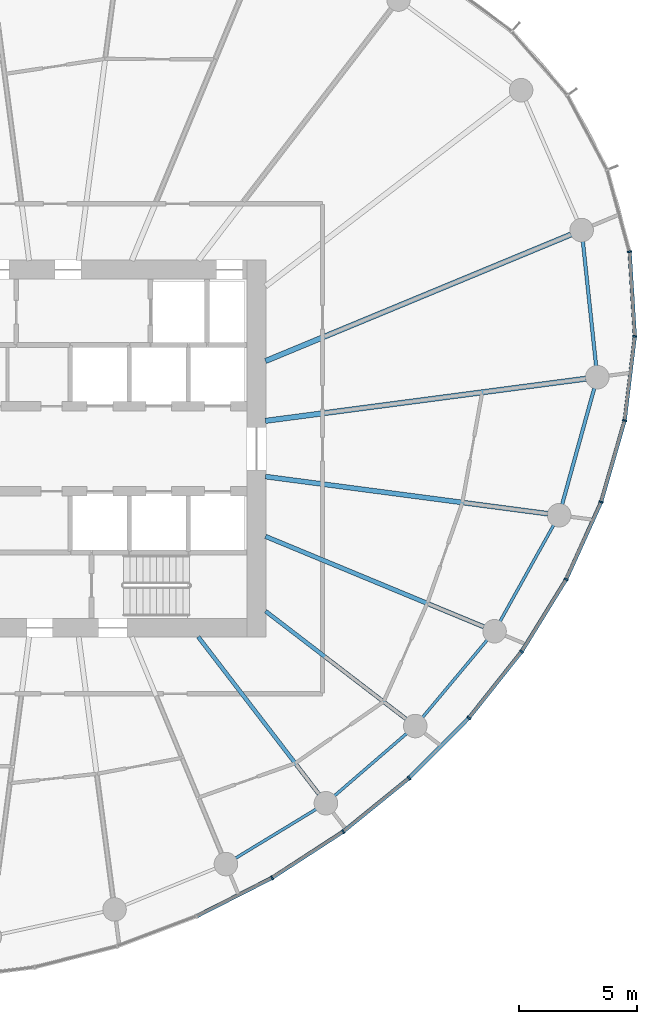
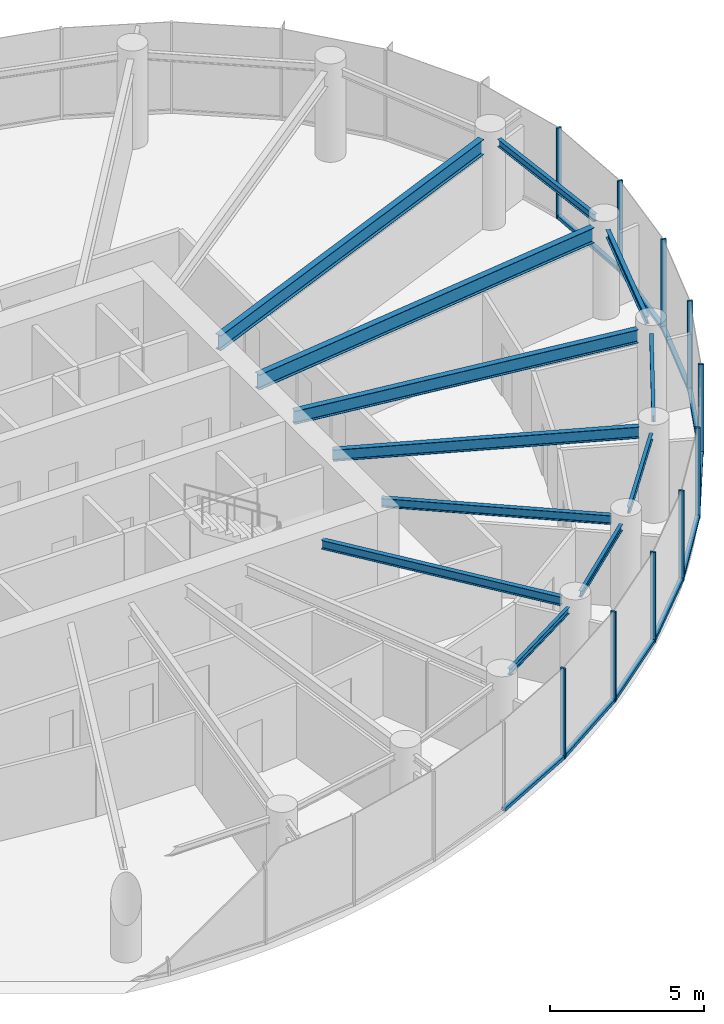
# One storey, part 4 of 14: 20 members, 12 beams, 3 elements without a shape of their own.
"""IFC4 building model written with IfcOpenShell, lengths in metres."""

from ifc_helpers import new_model, si_unit, direction, frame, origin, origin_2d, place, context, subcontext, project, spatial, rectangle, i_section, extrude, source, transform, mapped, material, layer, layer_set, material_profile, profile_set, type_object, element, aggregate, save


model = new_model("IFC4")

# Units and contexts
model_context = context("Model", 3, precision=1e-05, world=origin(), true_north=direction((0.0, 1.0)))
body_context = subcontext(model_context, "Body", "Model", "MODEL_VIEW")
ifc_project = project(units=[si_unit("LENGTHUNIT", "METRE"), si_unit("AREAUNIT", "SQUARE_METRE"), si_unit("VOLUMEUNIT", "CUBIC_METRE"), si_unit("PLANEANGLEUNIT", "RADIAN"), si_unit("MASSUNIT", "GRAM", prefix="KILO")], contexts=[model_context])

# Site, building, storey
site_placement = place(None, origin())
site = spatial("IfcSite", under=ifc_project, at=site_placement, CompositionType="ELEMENT")
building_placement = place(site_placement, origin())
building = spatial("IfcBuilding", under=site, at=building_placement, Name="Spindrift Exchange Tower", CompositionType="ELEMENT")
storey_placement = place(building_placement, frame((0.0, 0.0, 148.699951171875)))
storey = spatial("IfcBuildingStorey", under=building, at=storey_placement, Name="L35", CompositionType="ELEMENT", Elevation=148.699951171875)

# Beams
ifc_material_1 = material(Name="Steel Grade 300", Category="steel")
ifc_material_profile_1 = material_profile(ifc_material_1, i_section(OverallWidth=0.14892578125, OverallDepth=0.298095703125, WebThickness=0.005615234375, FlangeThickness=0.008056640625, FilletRadius=0.012939453125, at=origin_2d()), Name="310UB32.0")
ifc_profile_set_1 = profile_set([ifc_material_profile_1], Name="Steel Grade 300")
beam_type_1 = type_object("IfcBeamType", Name="Edge Beam 310UB32.0 Steel Grade 300", PredefinedType="SPANDREL", material=ifc_profile_set_1)
shared_shape_1 = source(origin(), body_context, "Body", "SweptSolid", [
    extrude(i_section(OverallWidth=0.14892578125, OverallDepth=0.298095703125, WebThickness=0.005615234375, FlangeThickness=0.008056640625, FilletRadius=0.012939453125, at=origin_2d()), origin(), (0.0, 0.0, 1.0), 5.31640625),
])
beam_1_placement = place(storey_placement, frame((75.010986328125, 51.513427734375, 3.43115234375), z_axis=(-0.10598990948, 0.994367205357, 0.0), x_axis=(-0.994367205357, -0.10598990948, 0.0)))
element("IfcBeam", 1, at=beam_1_placement, inside=storey, type_object=beam_type_1, Name="L35 edge beam E01", PredefinedType="SPANDREL", context=body_context, shape_type="MappedRepresentation", body=[
    mapped(shared_shape_1, transform((0.0, 0.0, 0.0), scale=1.0)),
])
ifc_material_profile_2 = material_profile(ifc_material_1, i_section(OverallWidth=0.1240234375, OverallDepth=0.248046875, WebThickness=0.0048828125, FlangeThickness=0.008056640625, FilletRadius=0.011962890625, at=origin_2d()), Name="250UB25.7")
ifc_profile_set_2 = profile_set([ifc_material_profile_2], Name="Steel Grade 300")
beam_type_2 = type_object("IfcBeamType", Name="Edge Beam 250UB25.7 Steel Grade 300", PredefinedType="SPANDREL", material=ifc_profile_set_2)
shared_shape_2 = source(origin(), body_context, "Body", "SweptSolid", [
    extrude(i_section(OverallWidth=0.1240234375, OverallDepth=0.248046875, WebThickness=0.0048828125, FlangeThickness=0.008056640625, FilletRadius=0.011962890625, at=origin_2d()), origin(), (0.0, 0.0, 1.0), 4.00634765625),
])
beam_2_placement = place(storey_placement, frame((59.7109375, 30.623779296875, 3.4560546875), z_axis=(0.854331495603, 0.519728482596, 0.0), x_axis=(-0.519728482596, 0.854331495603, 0.0)))
element("IfcBeam", 2, at=beam_2_placement, inside=storey, type_object=beam_type_2, Name="L35 edge beam E20", PredefinedType="SPANDREL", context=body_context, shape_type="MappedRepresentation", body=[
    mapped(shared_shape_2, transform((0.0, 0.0, 0.0), scale=1.0)),
])
shared_shape_3 = source(origin(), body_context, "Body", "SweptSolid", [
    extrude(i_section(OverallWidth=0.1240234375, OverallDepth=0.248046875, WebThickness=0.0048828125, FlangeThickness=0.008056640625, FilletRadius=0.011962890625, at=origin_2d()), origin(), (0.0, 0.0, 1.0), 4.052001953125),
])
beam_3_placement = place(storey_placement, frame((63.906982421875, 33.269287109375, 3.4560546875), z_axis=(0.756715968535, 0.65374379, 0.0), x_axis=(-0.65374379, 0.756715968535, 0.0)))
element("IfcBeam", 3, at=beam_3_placement, inside=storey, type_object=beam_type_2, Name="L35 edge beam E21", PredefinedType="SPANDREL", context=body_context, shape_type="MappedRepresentation", body=[
    mapped(shared_shape_3, transform((0.0, 0.0, 0.0), scale=1.0)),
])
shared_shape_4 = source(origin(), body_context, "Body", "SweptSolid", [
    extrude(i_section(OverallWidth=0.1240234375, OverallDepth=0.248046875, WebThickness=0.0048828125, FlangeThickness=0.008056640625, FilletRadius=0.011962890625, at=origin_2d()), origin(), (0.0, 0.0, 1.0), 4.282958984375),
])
beam_4_placement = place(storey_placement, frame((67.644287109375, 36.600341796875, 3.4560546875), z_axis=(0.641400288548, 0.767206406289, 0.0), x_axis=(-0.767206406289, 0.641400288548, 0.0)))
element("IfcBeam", 4, at=beam_4_placement, inside=storey, type_object=beam_type_2, Name="L35 edge beam E22", PredefinedType="SPANDREL", context=body_context, shape_type="MappedRepresentation", body=[
    mapped(shared_shape_4, transform((0.0, 0.0, 0.0), scale=1.0)),
])
shared_shape_5 = source(origin(), body_context, "Body", "SweptSolid", [
    extrude(i_section(OverallWidth=0.1240234375, OverallDepth=0.248046875, WebThickness=0.0048828125, FlangeThickness=0.008056640625, FilletRadius=0.011962890625, at=origin_2d()), origin(), (0.0, 0.0, 1.0), 4.6748046875),
])
beam_5_placement = place(storey_placement, frame((70.932861328125, 40.673828125, 3.4560546875), z_axis=(0.486587145143, 0.873632045075, 0.0), x_axis=(-0.873632045075, 0.486587145143, 0.0)))
element("IfcBeam", 5, at=beam_5_placement, inside=storey, type_object=beam_type_2, Name="L35 edge beam E23", PredefinedType="SPANDREL", context=body_context, shape_type="MappedRepresentation", body=[
    mapped(shared_shape_5, transform((0.0, 0.0, 0.0), scale=1.0)),
])
shared_shape_6 = source(origin(), body_context, "Body", "SweptSolid", [
    extrude(i_section(OverallWidth=0.14892578125, OverallDepth=0.298095703125, WebThickness=0.005615234375, FlangeThickness=0.008056640625, FilletRadius=0.012939453125, at=origin_2d()), origin(), (0.0, 0.0, 1.0), 5.118896484375),
])
beam_6_placement = place(storey_placement, frame((73.569091796875, 45.639892578125, 3.43115234375), z_axis=(0.266654866605, 0.963792084485, 0.0), x_axis=(-0.963792084485, 0.266654866605, 0.0)))
element("IfcBeam", 6, at=beam_6_placement, inside=storey, type_object=beam_type_1, Name="L35 edge beam E24", PredefinedType="SPANDREL", context=body_context, shape_type="MappedRepresentation", body=[
    mapped(shared_shape_6, transform((0.0, 0.0, 0.0), scale=1.0)),
])
ifc_material_profile_3 = material_profile(ifc_material_1, i_section(OverallWidth=0.22802734375, OverallDepth=0.60205078125, WebThickness=0.010498046875, FlangeThickness=0.014892578125, FilletRadius=0.013916015625, at=origin_2d()), Name="610UB101")
ifc_profile_set_3 = profile_set([ifc_material_profile_3], Name="Steel Grade 300")
beam_type_3 = type_object("IfcBeamType", Name="Floor Beam 610UB101 Steel Grade 300", PredefinedType="BEAM", material=ifc_profile_set_3)
shared_shape_7 = source(origin(), body_context, "Body", "SweptSolid", [
    extrude(i_section(OverallWidth=0.22802734375, OverallDepth=0.60205078125, WebThickness=0.010498046875, FlangeThickness=0.014892578125, FilletRadius=0.013916015625, at=origin_2d()), origin(), (0.0, 0.0, 1.0), 13.723388671875),
])
beam_7_placement = place(storey_placement, frame((60.980224609375, 49.182373046875, 3.279052734375), z_axis=(0.991447148915, 0.13050881544, 0.0), x_axis=(-0.13050881544, 0.991447148915, 0.0)))
element("IfcBeam", 7, at=beam_7_placement, inside=storey, type_object=beam_type_3, Name="L35 radial beam R01A", PredefinedType="BEAM", context=body_context, shape_type="MappedRepresentation", body=[
    mapped(shared_shape_7, transform((0.0, 0.0, 0.0), scale=1.0)),
])
shared_shape_8 = source(origin(), body_context, "Body", "SweptSolid", [
    extrude(i_section(OverallWidth=0.22802734375, OverallDepth=0.60205078125, WebThickness=0.010498046875, FlangeThickness=0.014892578125, FilletRadius=0.013916015625, at=origin_2d()), origin(), (0.0, 0.0, 1.0), 14.04052734375),
])
beam_8_placement = place(storey_placement, frame((60.9814453125, 51.72021484375, 3.279052734375), z_axis=(0.923879501748, 0.382683506634, 0.0), x_axis=(-0.382683506634, 0.923879501748, 0.0)))
element("IfcBeam", 8, at=beam_8_placement, inside=storey, type_object=beam_type_3, Name="L35 radial beam R02A", PredefinedType="BEAM", context=body_context, shape_type="MappedRepresentation", body=[
    mapped(shared_shape_8, transform((0.0, 0.0, 0.0), scale=1.0)),
])
ifc_material_profile_4 = material_profile(ifc_material_1, i_section(OverallWidth=0.1708984375, OverallDepth=0.35205078125, WebThickness=0.0068359375, FlangeThickness=0.009765625, FilletRadius=0.013916015625, at=origin_2d()), Name="360UB44.7")
ifc_profile_set_4 = profile_set([ifc_material_profile_4], Name="Steel Grade 300")
beam_type_4 = type_object("IfcBeamType", Name="Floor Beam 360UB44.7 Steel Grade 300", PredefinedType="BEAM", material=ifc_profile_set_4)
shared_shape_9 = source(origin(), body_context, "Body", "SweptSolid", [
    extrude(i_section(OverallWidth=0.1708984375, OverallDepth=0.35205078125, WebThickness=0.0068359375, FlangeThickness=0.009765625, FilletRadius=0.013916015625, at=origin_2d()), origin(), (0.0, 0.0, 1.0), 8.419189453125),
])
beam_9_placement = place(storey_placement, frame((58.12646484375, 40.015869140625, 3.404052734375), z_axis=(0.608755970582, -0.79335752866, 0.0), x_axis=(0.79335752866, 0.608755970582, 0.0)))
element("IfcBeam", 9, at=beam_9_placement, inside=storey, type_object=beam_type_4, Name="L35 radial beam R21A", PredefinedType="BEAM", context=body_context, shape_type="MappedRepresentation", body=[
    mapped(shared_shape_9, transform((0.0, 0.0, 0.0), scale=1.0)),
])
shared_shape_10 = source(origin(), body_context, "Body", "SweptSolid", [
    extrude(i_section(OverallWidth=0.1708984375, OverallDepth=0.35205078125, WebThickness=0.0068359375, FlangeThickness=0.009765625, FilletRadius=0.013916015625, at=origin_2d()), origin(), (0.0, 0.0, 1.0), 7.52685546875),
])
beam_10_placement = place(storey_placement, frame((60.984130859375, 41.106201171875, 3.404052734375), z_axis=(0.793354136078, -0.608760391918, 0.0), x_axis=(0.608760391918, 0.793354136078, 0.0)))
element("IfcBeam", 10, at=beam_10_placement, inside=storey, type_object=beam_type_4, Name="L35 radial beam R22A", PredefinedType="BEAM", context=body_context, shape_type="MappedRepresentation", body=[
    mapped(shared_shape_10, transform((0.0, 0.0, 0.0), scale=1.0)),
])
ifc_material_profile_5 = material_profile(ifc_material_1, i_section(OverallWidth=0.18994140625, OverallDepth=0.4541015625, WebThickness=0.008544921875, FlangeThickness=0.0126953125, FilletRadius=0.013916015625, at=origin_2d()), Name="460UB67.1")
ifc_profile_set_5 = profile_set([ifc_material_profile_5], Name="Steel Grade 300")
beam_type_5 = type_object("IfcBeamType", Name="Floor Beam 460UB67.1 Steel Grade 300", PredefinedType="BEAM", material=ifc_profile_set_5)
shared_shape_11 = source(origin(), body_context, "Body", "SweptSolid", [
    extrude(i_section(OverallWidth=0.18994140625, OverallDepth=0.4541015625, WebThickness=0.008544921875, FlangeThickness=0.0126953125, FilletRadius=0.013916015625, at=origin_2d()), origin(), (0.0, 0.0, 1.0), 10.03857421875),
])
beam_11_placement = place(storey_placement, frame((60.9814453125, 44.27978515625, 3.35302734375), z_axis=(0.923880777638, -0.382680426349, 0.0), x_axis=(0.382680426349, 0.923880777638, 0.0)))
element("IfcBeam", 11, at=beam_11_placement, inside=storey, type_object=beam_type_5, Name="L35 radial beam R23A", PredefinedType="BEAM", context=body_context, shape_type="MappedRepresentation", body=[
    mapped(shared_shape_11, transform((0.0, 0.0, 0.0), scale=1.0)),
])
ifc_material_profile_6 = material_profile(ifc_material_1, i_section(OverallWidth=0.208984375, OverallDepth=0.528076171875, WebThickness=0.009521484375, FlangeThickness=0.01318359375, FilletRadius=0.013916015625, at=origin_2d()), Name="530UB82.0")
ifc_profile_set_6 = profile_set([ifc_material_profile_6], Name="Steel Grade 300")
beam_type_6 = type_object("IfcBeamType", Name="Floor Beam 530UB82.0 Steel Grade 300", PredefinedType="BEAM", material=ifc_profile_set_6)
shared_shape_12 = source(origin(), body_context, "Body", "SweptSolid", [
    extrude(i_section(OverallWidth=0.208984375, OverallDepth=0.528076171875, WebThickness=0.009521484375, FlangeThickness=0.01318359375, FilletRadius=0.013916015625, at=origin_2d()), origin(), (0.0, 0.0, 1.0), 12.088134765625),
])
beam_12_placement = place(storey_placement, frame((60.980224609375, 46.817626953125, 3.316162109375), z_axis=(0.991447007302, -0.130509891244, 0.0), x_axis=(0.130509891244, 0.991447007302, 0.0)))
element("IfcBeam", 12, at=beam_12_placement, inside=storey, type_object=beam_type_6, Name="L35 radial beam R24A", PredefinedType="BEAM", context=body_context, shape_type="MappedRepresentation", body=[
    mapped(shared_shape_12, transform((0.0, 0.0, 0.0), scale=1.0)),
])

# Curtain wall, members
ifc_material_2 = material(Name="Fritted laminated glass with bronze frame", Category="glass")
ifc_layer = layer(ifc_material_2, 0.179931640625)
ifc_layer_set = layer_set([ifc_layer], Name="ZONE 3 BRONZE FRITTED WALL")
curtain_wall_type = type_object("IfcCurtainWallType", Name="ZONE 3 BRONZE FRITTED WALL", PredefinedType="NOTDEFINED", material=ifc_layer_set)
curtain_wall_1_placement = place(storey_placement, origin())
curtain_wall_1 = element("IfcCurtainWall", 13, at=curtain_wall_1_placement, inside=storey, type_object=curtain_wall_type, Name="L35 Zone 3 Bronze Fritted Wall run 6", PredefinedType="NOTDEFINED")
ifc_material_3 = material(Name="Bronze anodised aluminium", Category="aluminium")
ifc_material_profile_7 = material_profile(ifc_material_3, rectangle(XDim=0.159912109375, YDim=0.1298828125, at=origin_2d()), Name="ZONE 3 BRONZE FRITTED WALL TRANSOM 160X130")
ifc_profile_set_7 = profile_set([ifc_material_profile_7], Name="Bronze anodised aluminium")
member_type_1 = type_object("IfcMemberType", Name="ZONE 3 BRONZE FRITTED WALL TRANSOM 160X130", PredefinedType="USERDEFINED", material=ifc_profile_set_7)
shared_shape_13 = source(origin(), body_context, "Body", "SweptSolid", [
    extrude(rectangle(XDim=0.159912109375, YDim=0.1298828125, at=origin_2d()), origin(), (0.0, 0.0, 1.0), 3.53076171875),
])
member_1_placement = place(storey_placement, frame((61.286376953125, 29.80908203125, 0.06494140625), z_axis=(0.838336173301, 0.54515361187, 0.0), x_axis=(-0.54515361187, 0.838336173301, 0.0)))
member_1 = element("IfcMember", 14, at=member_1_placement, type_object=member_type_1, Name="L35 transom CW-3.31", ObjectType="TRANSOM", PredefinedType="USERDEFINED", context=body_context, shape_type="MappedRepresentation", body=[
    mapped(shared_shape_13, transform((0.0, 0.0, 0.0), scale=1.0)),
])
member_2_placement = place(storey_placement, frame((64.302978515625, 31.775146484375, 0.06494140625), z_axis=(0.776560071465, 0.630043217094, 0.0), x_axis=(-0.630043217094, 0.776560071465, 0.0)))
member_2 = element("IfcMember", 15, at=member_2_placement, type_object=member_type_1, Name="L35 transom CW-3.32", ObjectType="TRANSOM", PredefinedType="USERDEFINED", context=body_context, shape_type="MappedRepresentation", body=[
    mapped(shared_shape_13, transform((0.0, 0.0, 0.0), scale=1.0)),
])
shared_shape_14 = source(origin(), body_context, "Body", "SweptSolid", [
    extrude(rectangle(XDim=0.159912109375, YDim=0.1298828125, at=origin_2d()), origin(), (0.0, 0.0, 1.0), 3.531005859375),
])
member_3_placement = place(storey_placement, frame((67.0966796875, 34.046630859375, 0.06494140625), z_axis=(0.704994736836, 0.709212535869, 0.0), x_axis=(-0.709212535869, 0.704994736836, 0.0)))
member_3 = element("IfcMember", 16, at=member_3_placement, type_object=member_type_1, Name="L35 transom CW-3.33", ObjectType="TRANSOM", PredefinedType="USERDEFINED", context=body_context, shape_type="MappedRepresentation", body=[
    mapped(shared_shape_14, transform((0.0, 0.0, 0.0), scale=1.0)),
])
shared_shape_15 = source(origin(), body_context, "Body", "SweptSolid", [
    extrude(rectangle(XDim=0.159912109375, YDim=0.1298828125, at=origin_2d()), origin(), (0.0, 0.0, 1.0), 3.5302734375),
])
member_4_placement = place(storey_placement, frame((71.8681640625, 39.4248046875, 0.06494140625), z_axis=(0.525185121826, 0.850988006856, 0.0), x_axis=(-0.850988006856, 0.525185121826, 0.0)))
member_4 = element("IfcMember", 17, at=member_4_placement, type_object=member_type_1, Name="L35 transom CW-3.35", ObjectType="TRANSOM", PredefinedType="USERDEFINED", context=body_context, shape_type="MappedRepresentation", body=[
    mapped(shared_shape_15, transform((0.0, 0.0, 0.0), scale=1.0)),
])

# Curtain wall, member
curtain_wall_2_placement = place(storey_placement, origin())
curtain_wall_2 = element("IfcCurtainWall", 18, at=curtain_wall_2_placement, inside=storey, type_object=curtain_wall_type, Name="L35 Zone 3 Bronze Fritted Wall run 5", PredefinedType="NOTDEFINED")
shared_shape_16 = source(origin(), body_context, "Body", "SweptSolid", [
    extrude(rectangle(XDim=0.159912109375, YDim=0.1298828125, at=origin_2d()), origin(), (0.0, 0.0, 1.0), 3.530517578125),
])
member_5_placement = place(storey_placement, frame((58.07958984375, 28.171875, 0.06494140625), z_axis=(0.891125497127, 0.453756926526, 0.0), x_axis=(-0.453756926526, 0.891125497127, 0.0)))
member_5 = element("IfcMember", 19, at=member_5_placement, type_object=member_type_1, Name="L35 transom CW-3.30", ObjectType="TRANSOM", PredefinedType="USERDEFINED", context=body_context, shape_type="MappedRepresentation", body=[
    mapped(shared_shape_16, transform((0.0, 0.0, 0.0), scale=1.0)),
])
aggregate(curtain_wall_2, [member_5])

# Member
member_6_placement = place(storey_placement, frame((69.63232421875, 36.60302734375, 0.06494140625), z_axis=(0.621942011309, 0.783063301764, 0.0), x_axis=(-0.783063301764, 0.621942011309, 0.0)))
member_6 = element("IfcMember", 20, at=member_6_placement, type_object=member_type_1, Name="L35 transom CW-3.34", ObjectType="TRANSOM", PredefinedType="USERDEFINED", context=body_context, shape_type="MappedRepresentation", body=[
    mapped(shared_shape_16, transform((0.0, 0.0, 0.0), scale=1.0)),
])

ifc_material_profile_8 = material_profile(ifc_material_3, rectangle(XDim=0.070068359375, YDim=0.179931640625, at=origin_2d()), Name="ZONE 3 BRONZE FRITTED WALL MULLION 70X180")
ifc_profile_set_8 = profile_set([ifc_material_profile_8], Name="Bronze anodised aluminium")
member_type_2 = type_object("IfcMemberType", Name="ZONE 3 BRONZE FRITTED WALL MULLION 70X180", PredefinedType="MULLION", material=ifc_profile_set_8)
shared_shape_17 = source(origin(), body_context, "Body", "SweptSolid", [
    extrude(rectangle(XDim=0.070068359375, YDim=0.179931640625, at=origin_2d()), origin(), (0.0, 0.0, 1.0), 3.580078125),
])
member_7_placement = place(storey_placement, frame((61.257080078125, 29.789794921875, 0.0), z_axis=(0.0, 0.0, 1.0), x_axis=(0.865922795102, 0.500177681352, 0.0)))
member_7 = element("IfcMember", 21, at=member_7_placement, type_object=member_type_2, Name="L35 mullion CW-3.31", PredefinedType="MULLION", context=body_context, shape_type="MappedRepresentation", body=[
    mapped(shared_shape_17, transform((0.0, 0.0, 0.0), scale=1.0)),
])

member_8_placement = place(storey_placement, frame((64.275634765625, 31.7529296875, 0.0), z_axis=(0.0, 0.0, 1.0), x_axis=(0.808556853678, 0.58841806088, 0.0)))
member_8 = element("IfcMember", 22, at=member_8_placement, type_object=member_type_2, Name="L35 mullion CW-3.32", PredefinedType="MULLION", context=body_context, shape_type="MappedRepresentation", body=[
    mapped(shared_shape_17, transform((0.0, 0.0, 0.0), scale=1.0)),
])

member_9_placement = place(storey_placement, frame((67.072021484375, 34.021728515625, 0.0), z_axis=(0.0, 0.0, 1.0), x_axis=(0.741827625994, 0.670590615288, 0.0)))
member_9 = element("IfcMember", 23, at=member_9_placement, type_object=member_type_2, Name="L35 mullion CW-3.33", PredefinedType="MULLION", context=body_context, shape_type="MappedRepresentation", body=[
    mapped(shared_shape_17, transform((0.0, 0.0, 0.0), scale=1.0)),
])

member_10_placement = place(storey_placement, frame((69.610595703125, 36.575439453125, 0.0), z_axis=(0.0, 0.0, 1.0), x_axis=(0.664489614323, 0.747297499298, 0.0)))
member_10 = element("IfcMember", 24, at=member_10_placement, type_object=member_type_2, Name="L35 mullion CW-3.34", PredefinedType="MULLION", context=body_context, shape_type="MappedRepresentation", body=[
    mapped(shared_shape_17, transform((0.0, 0.0, 0.0), scale=1.0)),
])

member_11_placement = place(storey_placement, frame((71.849853515625, 39.39501953125, 0.0), z_axis=(0.0, 0.0, 1.0), x_axis=(0.574559927776, 0.818462515571, 0.0)))
member_11 = element("IfcMember", 25, at=member_11_placement, type_object=member_type_2, Name="L35 mullion CW-3.35", PredefinedType="MULLION", context=body_context, shape_type="MappedRepresentation", body=[
    mapped(shared_shape_17, transform((0.0, 0.0, 0.0), scale=1.0)),
])

member_12_placement = place(storey_placement, frame((73.740478515625, 42.458740234375, 0.0), z_axis=(0.0, 0.0, 1.0), x_axis=(0.469340022906, 0.883017521286, 0.0)))
member_12 = element("IfcMember", 26, at=member_12_placement, type_object=member_type_2, Name="L35 mullion CW-3.36", PredefinedType="MULLION", context=body_context, shape_type="MappedRepresentation", body=[
    mapped(shared_shape_17, transform((0.0, 0.0, 0.0), scale=1.0)),
])

# Curtain wall, members
curtain_wall_3_placement = place(storey_placement, origin())
curtain_wall_3 = element("IfcCurtainWall", 27, at=curtain_wall_3_placement, inside=storey, type_object=curtain_wall_type, Name="L35 Zone 3 Bronze Fritted Wall run 7", PredefinedType="NOTDEFINED")
member_13_placement = place(storey_placement, frame((75.22216796875, 45.739501953125, 0.0), z_axis=(0.0, 0.0, 1.0), x_axis=(0.345465378285, 0.938431495852, 0.0)))
member_13 = element("IfcMember", 28, at=member_13_placement, type_object=member_type_2, Name="L35 mullion CW-3.37", PredefinedType="MULLION", context=body_context, shape_type="MappedRepresentation", body=[
    mapped(shared_shape_17, transform((0.0, 0.0, 0.0), scale=1.0)),
])
member_14_placement = place(storey_placement, frame((76.22119140625, 49.197265625, 0.0), z_axis=(0.0, 0.0, 1.0), x_axis=(0.199486800484, 0.979900513538, 0.0)))
member_14 = element("IfcMember", 29, at=member_14_placement, type_object=member_type_2, Name="L35 mullion CW-3.38", PredefinedType="MULLION", context=body_context, shape_type="MappedRepresentation", body=[
    mapped(shared_shape_17, transform((0.0, 0.0, 0.0), scale=1.0)),
])
member_15_placement = place(storey_placement, frame((76.6533203125, 52.769287109375, 0.0), z_axis=(0.0, 0.0, 1.0), x_axis=(0.029195144318, 0.999573730921, 0.0)))
member_15 = element("IfcMember", 30, at=member_15_placement, type_object=member_type_2, Name="L35 mullion CW-3.39", PredefinedType="MULLION", context=body_context, shape_type="MappedRepresentation", body=[
    mapped(shared_shape_17, transform((0.0, 0.0, 0.0), scale=1.0)),
])
member_16_placement = place(storey_placement, frame((76.4306640625, 56.359375, 0.0), z_axis=(0.0, 0.0, 1.0), x_axis=(-0.163438932004, 0.986553452939, 0.0)))
member_16 = element("IfcMember", 31, at=member_16_placement, type_object=member_type_2, Name="L35 mullion CW-3.40", PredefinedType="MULLION", context=body_context, shape_type="MappedRepresentation", body=[
    mapped(shared_shape_17, transform((0.0, 0.0, 0.0), scale=1.0)),
])
shared_shape_18 = source(origin(), body_context, "Body", "SweptSolid", [
    extrude(rectangle(XDim=0.159912109375, YDim=0.1298828125, at=origin_2d()), origin(), (0.0, 0.0, 1.0), 3.5283203125),
])
member_17_placement = place(storey_placement, frame((76.2255859375, 49.23193359375, 0.06494140625), z_axis=(0.120056516818, 0.992767058665, 0.0), x_axis=(-0.992767058665, 0.120056516818, 0.0)))
member_17 = element("IfcMember", 32, at=member_17_placement, type_object=member_type_1, Name="L35 transom CW-3.38", ObjectType="TRANSOM", PredefinedType="USERDEFINED", context=body_context, shape_type="MappedRepresentation", body=[
    mapped(shared_shape_18, transform((0.0, 0.0, 0.0), scale=1.0)),
])

# Member
shared_shape_19 = source(origin(), body_context, "Body", "SweptSolid", [
    extrude(rectangle(XDim=0.159912109375, YDim=0.1298828125, at=origin_2d()), origin(), (0.0, 0.0, 1.0), 3.52978515625),
])
member_18_placement = place(storey_placement, frame((73.755126953125, 42.49072265625, 0.06494140625), z_axis=(0.411534832676, 0.911394031961, 0.0), x_axis=(-0.911394031961, 0.411534832676, 0.0)))
member_18 = element("IfcMember", 33, at=member_18_placement, type_object=member_type_1, Name="L35 transom CW-3.36", ObjectType="TRANSOM", PredefinedType="USERDEFINED", context=body_context, shape_type="MappedRepresentation", body=[
    mapped(shared_shape_19, transform((0.0, 0.0, 0.0), scale=1.0)),
])

aggregate(curtain_wall_1, [member_7, member_1, member_8, member_2, member_9, member_3, member_10, member_6, member_11, member_4, member_12, member_18])

shared_shape_20 = source(origin(), body_context, "Body", "SweptSolid", [
    extrude(rectangle(XDim=0.159912109375, YDim=0.1298828125, at=origin_2d()), origin(), (0.0, 0.0, 1.0), 3.529052734375),
])
member_19_placement = place(storey_placement, frame((75.23193359375, 45.773193359375, 0.06494140625), z_axis=(0.277616272514, 0.960692044953, 0.0), x_axis=(-0.960692044953, 0.277616272514, 0.0)))
member_19 = element("IfcMember", 34, at=member_19_placement, type_object=member_type_1, Name="L35 transom CW-3.37", ObjectType="TRANSOM", PredefinedType="USERDEFINED", context=body_context, shape_type="MappedRepresentation", body=[
    mapped(shared_shape_20, transform((0.0, 0.0, 0.0), scale=1.0)),
])

shared_shape_21 = source(origin(), body_context, "Body", "SweptSolid", [
    extrude(rectangle(XDim=0.159912109375, YDim=0.1298828125, at=origin_2d()), origin(), (0.0, 0.0, 1.0), 3.52685546875),
])
member_20_placement = place(storey_placement, frame((76.651123046875, 52.804443359375, 0.06494140625), z_axis=(-0.061886971068, 0.998083164276, 0.0), x_axis=(-0.998083164276, -0.061886971068, 0.0)))
member_20 = element("IfcMember", 35, at=member_20_placement, type_object=member_type_1, Name="L35 transom CW-3.39", ObjectType="TRANSOM", PredefinedType="USERDEFINED", context=body_context, shape_type="MappedRepresentation", body=[
    mapped(shared_shape_21, transform((0.0, 0.0, 0.0), scale=1.0)),
])

aggregate(curtain_wall_3, [member_13, member_19, member_14, member_17, member_15, member_20, member_16])

save(model, "model.ifc")
